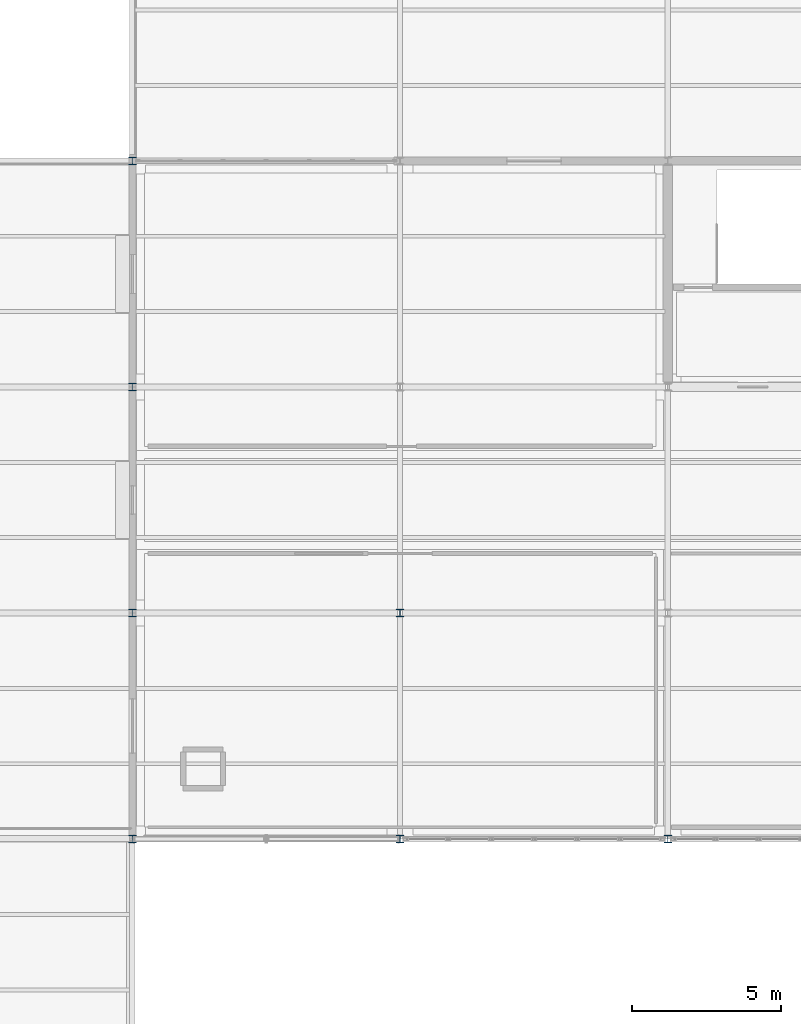
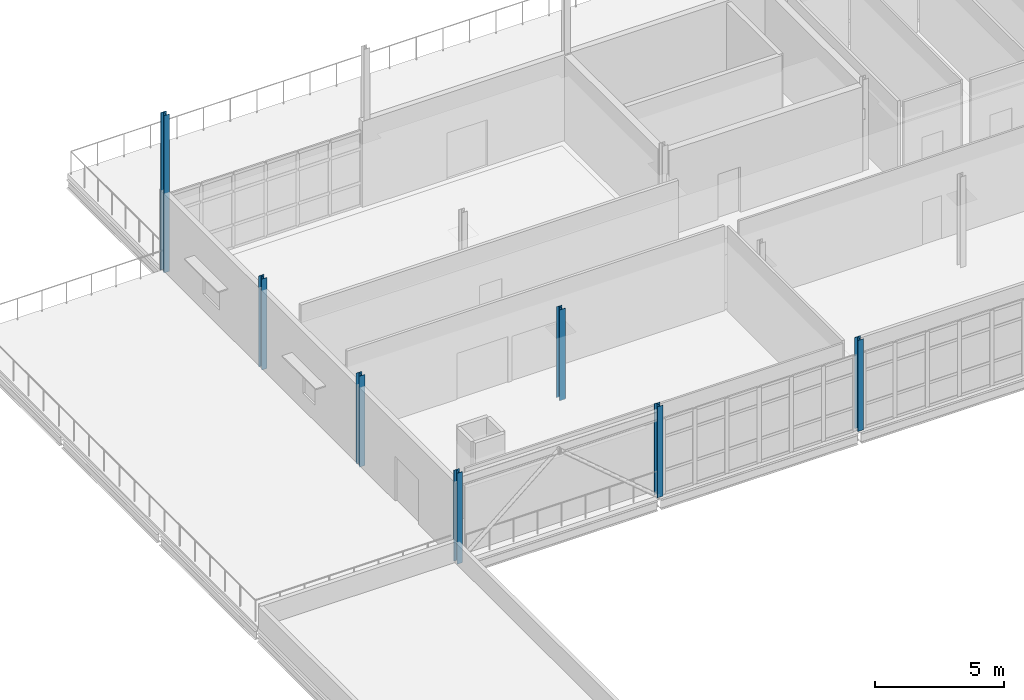
# One storey, part 7 of 96: 7 columns.
"""IFC4 building model written with IfcOpenShell, lengths in metres."""

from ifc_helpers import new_model, si_unit, direction, frame, origin, origin_2d, place, context, subcontext, project, spatial, i_section, extrude, material, material_profile, profile_set, type_object, element, save


model = new_model("IFC4")

# Units and contexts
model_context = context("Model", 3, precision=1e-05, world=origin(), true_north=direction((0.0, 1.0)))
body_context = subcontext(model_context, "Body", "Model", "MODEL_VIEW")
ifc_project = project(units=[si_unit("LENGTHUNIT", "METRE"), si_unit("AREAUNIT", "SQUARE_METRE"), si_unit("VOLUMEUNIT", "CUBIC_METRE"), si_unit("PLANEANGLEUNIT", "RADIAN"), si_unit("MASSUNIT", "GRAM", prefix="KILO")], contexts=[model_context])

# Site, building, storey
site_placement = place(None, origin())
site = spatial("IfcSite", under=ifc_project, at=site_placement, CompositionType="ELEMENT")
building_placement = place(site_placement, origin())
building = spatial("IfcBuilding", under=site, at=building_placement, Name="Caisbarro Railhouse Central Library", CompositionType="ELEMENT")
storey_placement = place(building_placement, frame((0.0, 0.0, 13.679931640625)))
storey = spatial("IfcBuildingStorey", under=building, at=storey_placement, Name="L03", CompositionType="ELEMENT", Elevation=13.679931640625)

# Columns
ifc_material = material(Name="Steel ASTM A572 Grade 50", Category="steel")
ifc_material_profile = material_profile(ifc_material, i_section(OverallWidth=0.25390625, OverallDepth=0.2529296875, WebThickness=0.008544921875, FlangeThickness=0.01416015625, FilletRadius=0.011962890625, at=origin_2d()), Name="W250X73.0")
ifc_profile_set = profile_set([ifc_material_profile], Name="Steel ASTM A572 Grade 50")
column_type = type_object("IfcColumnType", Name="COL-C08", PredefinedType="COLUMN", material=ifc_profile_set)
for number, where, z_axis, x_axis, name in (
    (1, (63.0, 83.60009765625, 0.0), (0.0, 0.0, 1.0), (1.0, 0.0, 0.0), "C08 column L03 (63.0,83.6)"),
    (2, (63.0, 91.199951171875, 0.0), (0.0, 0.0, 1.0), (1.0, 0.0, 0.0), "C08 column L03 (63.0,91.2)"),
    (3, (63.0, 98.800048828125, 0.0), (0.0, 0.0, 1.0), (1.0, 0.0, 0.0), "C08 column L03 (63.0,98.8)"),
):
    element("IfcColumn", number, at=place(storey_placement, frame(where, z_axis=z_axis, x_axis=x_axis)), inside=storey, type_object=column_type, Name=name, PredefinedType="COLUMN", context=body_context, shape_type="SweptSolid", body=[
        extrude(i_section(OverallWidth=0.25390625, OverallDepth=0.2529296875, WebThickness=0.008544921875, FlangeThickness=0.01416015625, FilletRadius=0.011962890625, at=origin_2d()), origin(), (0.0, 0.0, 1.0), 4.320068359375),
    ])
column_placement = place(storey_placement, frame((63.0, 106.39990234375, 0.0), z_axis=(0.0, 0.0, 1.0), x_axis=(1.0, 0.0, 0.0)))
element("IfcColumn", 4, at=column_placement, inside=storey, type_object=column_type, Name="C08 column L03 (63.0,106.4)", PredefinedType="COLUMN", context=body_context, shape_type="SweptSolid", body=[
    extrude(i_section(OverallWidth=0.25390625, OverallDepth=0.2529296875, WebThickness=0.008544921875, FlangeThickness=0.01416015625, FilletRadius=0.011962890625, at=origin_2d()), origin(), (0.0, 0.0, 1.0), 7.469970703125),
])
for number, where, z_axis, x_axis, name in (
    (5, (72.0, 83.60009765625, 0.0), (0.0, 0.0, 1.0), (1.0, 0.0, 0.0), "C08 column L03 (72.0,83.6)"),
    (6, (72.0, 91.199951171875, 0.0), (0.0, 0.0, 1.0), (1.0, 0.0, 0.0), "C08 column L03 (72.0,91.2)"),
    (7, (81.0, 83.60009765625, 0.0), (0.0, 0.0, 1.0), (1.0, 0.0, 0.0), "C08 column L03 (81.0,83.6)"),
):
    element("IfcColumn", number, at=place(storey_placement, frame(where, z_axis=z_axis, x_axis=x_axis)), inside=storey, type_object=column_type, Name=name, PredefinedType="COLUMN", context=body_context, shape_type="SweptSolid", body=[
        extrude(i_section(OverallWidth=0.25390625, OverallDepth=0.2529296875, WebThickness=0.008544921875, FlangeThickness=0.01416015625, FilletRadius=0.011962890625, at=origin_2d()), origin(), (0.0, 0.0, 1.0), 4.320068359375),
    ])

save(model, "model.ifc")
